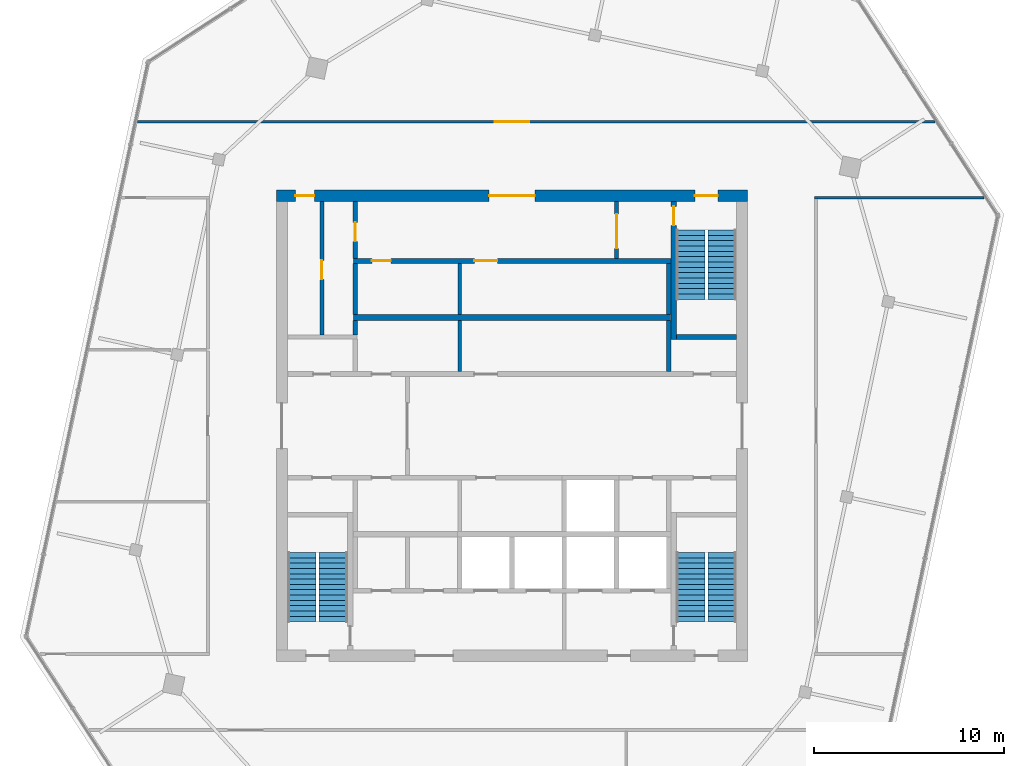
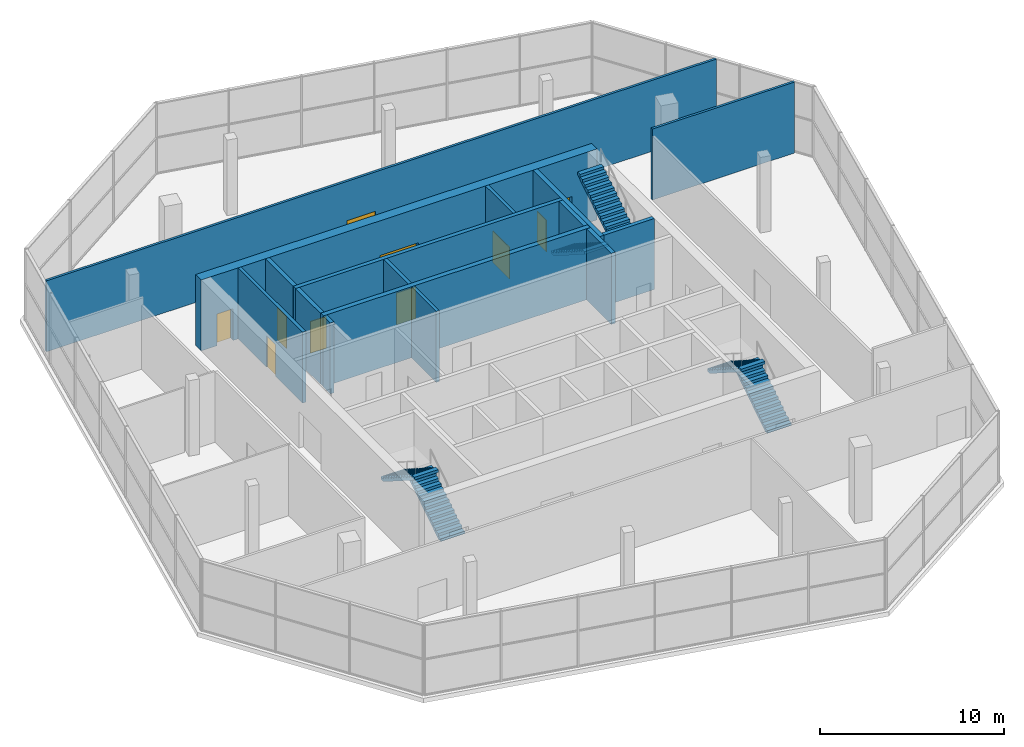
# One storey, part 10 of 11: 16 walls, 10 doors, 6 stair flights, 10 openings, 3 elements without a shape of their own.
"""IFC4 building model written with IfcOpenShell, lengths in metres."""

import ifcopenshell
import ifcopenshell.guid

model = None  # the IFC model being written
_history = None  # IfcOwnerHistory: only IFC2X3 demands one
_inside = {}  # id of a spatial element -> (the spatial element, [elements in it])
_under = {}  # id of a project, library or spatial element -> (it, [spatial elements below it])
_declared = {}  # id of a project -> (the project, [libraries it declares])
_typed = {}  # id of a type object -> (the type object, [elements of that type])
_made_of = {}  # id of a material, layer set ... -> (it, [elements and type objects made of it])


def new_model(schema):
    """Start an empty IFC model of exactly this schema.

    Asked for "IFC4X3", IfcOpenShell would pick the latest addendum, in which some entities
    have other attributes; the version numbers below select the first issue.
    IFC2X3 requires an IfcOwnerHistory on every rooted entity: one is made here for all.
    """
    global model, _history
    if schema == "IFC4X3":
        model = ifcopenshell.file(schema_version=(4, 3, 0, 0))
    else:
        model = ifcopenshell.file(schema=schema)
    _inside.clear()
    _under.clear()
    _declared.clear()
    _typed.clear()
    _made_of.clear()
    _history = None
    if model.schema == "IFC2X3":
        org = make("IfcOrganization", Name="unknown")
        user = make(
            "IfcPersonAndOrganization",
            ThePerson=make("IfcPerson", FamilyName="unknown"),
            TheOrganization=org,
        )
        app = make(
            "IfcApplication",
            ApplicationDeveloper=org,
            Version="unknown",
            ApplicationFullName="unknown",
            ApplicationIdentifier="unknown",
        )
        _history = make(
            "IfcOwnerHistory",
            OwningUser=user,
            OwningApplication=app,
            ChangeAction="ADDED",
            CreationDate=0,
        )
    return model


def make(cls, **values):
    """One entity of the class cls with the attributes given. An attribute that is None is left unset."""
    return model.create_entity(
        cls, **{name: value for name, value in values.items() if value is not None}
    )


def rooted(cls, **values):
    """An entity with a GlobalId (a new one), such as an element, a storey or a relation."""
    return make(cls, GlobalId=ifcopenshell.guid.new(), OwnerHistory=_history, **values)


def si_unit(unit_type, name, prefix=None):
    """IfcSIUnit, for example si_unit("LENGTHUNIT", "METRE", prefix="MILLI")."""
    return make("IfcSIUnit", UnitType=unit_type, Prefix=prefix, Name=name)


def assignment(units):
    """IfcUnitAssignment: the units of a project."""
    return None if units is None else make("IfcUnitAssignment", Units=units)


def point(xyz):
    """IfcCartesianPoint."""
    return None if xyz is None else make("IfcCartesianPoint", Coordinates=xyz)


def direction(xyz):
    """IfcDirection."""
    return None if xyz is None else make("IfcDirection", DirectionRatios=xyz)


def frame(location, z_axis=None, x_axis=None):
    """IfcAxis2Placement3D, a coordinate frame: its origin and axes. An axis left out is left unset."""
    return make(
        "IfcAxis2Placement3D",
        Location=point(location),
        Axis=direction(z_axis),
        RefDirection=direction(x_axis),
    )


def frame_2d(location, x_axis=None):
    """IfcAxis2Placement2D, a coordinate frame in the plane: its origin and x axis."""
    return make(
        "IfcAxis2Placement2D", Location=point(location), RefDirection=direction(x_axis)
    )


def origin():
    """The frame at (0, 0, 0) with its axes left unset."""
    return frame((0.0, 0.0, 0.0))


def place(relative_to, where):
    """IfcLocalPlacement: puts the frame where relative to a parent placement (None: the world)."""
    return make(
        "IfcLocalPlacement", PlacementRelTo=relative_to, RelativePlacement=where
    )


def context(
    kind, dimensions, precision=None, world=None, true_north=None, identifier=None
):
    """IfcGeometricRepresentationContext, for example the 3D "Model" context."""
    return make(
        "IfcGeometricRepresentationContext",
        ContextIdentifier=identifier,
        ContextType=kind,
        CoordinateSpaceDimension=dimensions,
        Precision=precision,
        WorldCoordinateSystem=world,
        TrueNorth=true_north,
    )


def subcontext(parent, identifier, kind, view, scale=None):
    """IfcGeometricRepresentationSubContext, for example "Body" below "Model"."""
    return make(
        "IfcGeometricRepresentationSubContext",
        ContextIdentifier=identifier,
        ContextType=kind,
        ParentContext=parent,
        TargetScale=scale,
        TargetView=view,
    )


def project(units=None, contexts=None):
    """IfcProject with its units and contexts."""
    return rooted(
        "IfcProject",
        Name="project",
        RepresentationContexts=contexts,
        UnitsInContext=assignment(units),
    )


def spatial(cls, under=None, at=None, **own):
    """A site, building, storey or space (cls), placed at a placement, below another one or the project."""
    s = rooted(cls, ObjectPlacement=at, **own)
    if under is not None:
        _under.setdefault(under.id(), (under, []))[1].append(s)
    return s


def polyline(points):
    """IfcPolyline through the points."""
    return make("IfcPolyline", Points=[point(p) for p in points])


def profile(cls, at=None, kind="AREA", **sizes):
    """A parametric profile (cls). Its sizes go by their IFC names, for example OverallWidth=200.0."""
    return make(cls, ProfileType=kind, Position=at, **sizes)


def rectangle(**sizes):
    """IfcRectangleProfileDef."""
    return profile("IfcRectangleProfileDef", **sizes)


def outline(outer, holes=None, kind="AREA"):
    """IfcArbitraryClosedProfileDef: a profile drawn as a closed curve; with holes, ...WithVoids."""
    if holes is None:
        return make("IfcArbitraryClosedProfileDef", ProfileType=kind, OuterCurve=outer)
    return make(
        "IfcArbitraryProfileDefWithVoids",
        ProfileType=kind,
        OuterCurve=outer,
        InnerCurves=holes,
    )


def extrude(swept, where, along, depth):
    """IfcExtrudedAreaSolid: the profile swept, set in the frame where, extruded along a direction by depth."""
    return make(
        "IfcExtrudedAreaSolid",
        SweptArea=swept,
        Position=where,
        ExtrudedDirection=direction(along),
        Depth=depth,
    )


def shape(context_of_items, identifier, shape_type, items):
    """IfcShapeRepresentation: the items that make up one representation, for example the "Body"."""
    return make(
        "IfcShapeRepresentation",
        ContextOfItems=context_of_items,
        RepresentationIdentifier=identifier,
        RepresentationType=shape_type,
        Items=items,
    )


def material(Name=None, Category=None):
    """IfcMaterial."""
    return make("IfcMaterial", Name=Name, Category=Category)


def layer(
    of_material, thickness, ventilated=None, Name=None, Category=None, Priority=None
):
    """IfcMaterialLayer: one layer of a wall or slab, of a material (None: an air gap)."""
    return make(
        "IfcMaterialLayer",
        Material=of_material,
        LayerThickness=thickness,
        IsVentilated=ventilated,
        Name=Name,
        Category=Category,
        Priority=Priority,
    )


def layer_set(layers, Name=None):
    """IfcMaterialLayerSet."""
    return make("IfcMaterialLayerSet", MaterialLayers=layers, LayerSetName=Name)


def made_of(thing, what):
    """Note that an element or type object is made of a material, layer set ...; save() writes the relation."""
    if what is not None:
        _made_of.setdefault(what.id(), (what, []))[1].append(thing)
    return thing


def type_object(cls, material=None, **own):
    """A type object (cls), such as IfcWallType, which elements share."""
    return made_of(rooted(cls, **own), material)


def element(
    cls,
    number,
    at=None,
    inside=None,
    cuts=None,
    type_object=None,
    material=None,
    context=None,
    identifier="Body",
    shape_type=None,
    held_by="IfcProductDefinitionShape",
    body=None,
    shapes=None,
    **own,
):
    """One element of the class cls, such as IfcWall. Its Tag is "e" and its number.

    at: its placement. inside: the storey or other place that contains it. cuts: it is an
    opening in that element (IfcRelVoidsElement). A single representation is given by context,
    identifier, shape_type and body (its items); several are given by shapes. held_by: the class
    of the entity that holds the representations. save() writes the other relations.
    """
    e = rooted(cls, Tag="e%d" % number, ObjectPlacement=at, **own)
    if body is not None:
        shapes = [shape(context, identifier, shape_type, body)]
    if shapes is not None:
        e.Representation = make(held_by, Representations=shapes)
    if inside is not None:
        _inside.setdefault(inside.id(), (inside, []))[1].append(e)
    if cuts is not None:
        rooted(
            "IfcRelVoidsElement", RelatingBuildingElement=cuts, RelatedOpeningElement=e
        )
    if type_object is not None:
        _typed.setdefault(type_object.id(), (type_object, []))[1].append(e)
    return made_of(e, material)


def fill(opening, filler):
    """IfcRelFillsElement: the door or window that sits in an opening."""
    return rooted(
        "IfcRelFillsElement",
        RelatingOpeningElement=opening,
        RelatedBuildingElement=filler,
    )


def aggregate(whole, parts):
    """IfcRelAggregates: a whole, such as a stair, and the parts it consists of."""
    return rooted("IfcRelAggregates", RelatingObject=whole, RelatedObjects=parts)


def save(model, path):
    """Write the relations noted so far, then the file.

    IfcRelAggregates (storeys below a building ...), IfcRelContainedInSpatialStructure (elements
    in a storey), IfcRelDefinesByType, IfcRelAssociatesMaterial and IfcRelDeclares: one each for
    every whole, place, type object, material and project.
    """
    for whole, parts in _under.values():
        aggregate(whole, parts)
    for where, things in _inside.values():
        rooted(
            "IfcRelContainedInSpatialStructure",
            RelatedElements=things,
            RelatingStructure=where,
        )
    for kind, things in _typed.values():
        rooted("IfcRelDefinesByType", RelatedObjects=things, RelatingType=kind)
    for what, things in _made_of.values():
        rooted("IfcRelAssociatesMaterial", RelatedObjects=things, RelatingMaterial=what)
    for by, libraries in _declared.values():
        rooted("IfcRelDeclares", RelatingContext=by, RelatedDefinitions=libraries)
    model.write(path)


model = new_model("IFC4")

# Units and contexts
model_context = context("Model", 3, precision=1e-05, world=origin(), true_north=direction((0.0, 1.0)))
body_context = subcontext(model_context, "Body", "Model", "MODEL_VIEW")
ifc_project = project(units=[si_unit("LENGTHUNIT", "METRE"), si_unit("AREAUNIT", "SQUARE_METRE"), si_unit("VOLUMEUNIT", "CUBIC_METRE"), si_unit("PLANEANGLEUNIT", "RADIAN"), si_unit("MASSUNIT", "GRAM", prefix="KILO")], contexts=[model_context])

# Site, building, storey
site_placement = place(None, origin())
site = spatial("IfcSite", under=ifc_project, at=site_placement, CompositionType="ELEMENT")
building_placement = place(site_placement, origin())
building = spatial("IfcBuilding", under=site, at=building_placement, Name="Dilmun Exchange Tower", CompositionType="ELEMENT")
storey_placement = place(building_placement, frame((0.0, 0.0, 363.10009765625)))
storey = spatial("IfcBuildingStorey", under=building, at=storey_placement, Name="Crown L85", CompositionType="ELEMENT", Elevation=363.10009765625)

# Wall
ifc_material_1 = material(Name="Concrete C40/50", Category="concrete")
ifc_layer_1 = layer(ifc_material_1, 0.199951171875)
ifc_layer_set_1 = layer_set([ifc_layer_1], Name="Concrete C40/50")
wall_type_1 = type_object("IfcWallType", Name="Core partition wall 200", PredefinedType="PARTITIONING", material=ifc_layer_set_1)
wall_1_placement = place(storey_placement, frame((-2.75, 2.85498046875, 0.0), z_axis=(0.0, 0.0, 1.0), x_axis=(0.0, 1.0, 0.0)))
element("IfcWall", 1, at=wall_1_placement, inside=storey, type_object=wall_type_1, Name="Crown L85 core partition wall 14", PredefinedType="PARTITIONING", context=body_context, shape_type="SweptSolid", body=[
    extrude(rectangle(XDim=2.68994140625, YDim=0.199951171875, at=frame_2d((1.344970703125, 0.0))), origin(), (0.0, 0.0, 1.0), 4.699951171875),
])

# Wall, opening, door
wall_2_placement = place(storey_placement, frame((-10.0, 4.780029296875, 0.0), z_axis=(0.0, 0.0, 1.0), x_axis=(0.0, 1.0, 0.0)))
wall_2 = element("IfcWall", 2, at=wall_2_placement, inside=storey, type_object=wall_type_1, Name="Crown L85 core partition wall 17", PredefinedType="PARTITIONING", context=body_context, shape_type="SweptSolid", body=[
    extrude(rectangle(XDim=7.014892578125, YDim=0.199951171875, at=frame_2d((3.50732421875, 0.0))), origin(), (0.0, 0.0, 1.0), 4.699951171875),
])
opening_1_placement = place(wall_2_placement, frame((2.919921875, 0.0, 0.0)))
opening_1 = element("IfcOpeningElement", 3, at=opening_1_placement, cuts=wall_2, Name="Opening CD4", PredefinedType="OPENING", context=body_context, shape_type="SweptSolid", body=[
    extrude(rectangle(XDim=1.0, YDim=2.10009765625, at=frame_2d((0.5, 1.050048828125))), frame((0.0, 0.10986328125, 0.0), z_axis=(0.0, -1.0, 0.0), x_axis=(1.0, 0.0, 0.0)), (0.0, 0.0, 1.0), 0.219970703125),
])
ifc_material_2 = material(Name="Fire-rated steel door set", Category="steel")
door_type_1 = type_object("IfcDoorType", Name="Core room door 1000x2100", OperationType="SINGLE_SWING_LEFT", PredefinedType="DOOR", material=ifc_material_2)
door_1_placement = place(opening_1_placement, origin())
door_1 = element("IfcDoor", 4, at=door_1_placement, inside=storey, type_object=door_type_1, Name="Crown L85 door Comms room", OperationType="SINGLE_SWING_RIGHT", OverallHeight=2.10009765625, OverallWidth=1.0, PredefinedType="DOOR", context=body_context, shape_type="SweptSolid", body=[
    extrude(rectangle(XDim=1.0, YDim=2.10009765625, at=frame_2d((0.5, 1.050048828125))), frame((0.0, 0.02490234375, 0.0), z_axis=(0.0, -1.0, 0.0), x_axis=(1.0, 0.0, 0.0)), (0.0, 0.0, 1.0), 0.050048828125),
])
fill(opening_1, door_1)

# Wall
wall_3_placement = place(storey_placement, frame((-2.75, 5.85498046875, 0.0), z_axis=(0.0, 0.0, 1.0), x_axis=(0.0, 1.0, 0.0)))
element("IfcWall", 5, at=wall_3_placement, inside=storey, type_object=wall_type_1, Name="Crown L85 core partition wall 21", PredefinedType="PARTITIONING", context=body_context, shape_type="SweptSolid", body=[
    extrude(rectangle(XDim=2.68994140625, YDim=0.199951171875, at=frame_2d((1.344970703125, 0.0))), origin(), (0.0, 0.0, 1.0), 4.699951171875),
])

# Wall, opening, door
wall_4_placement = place(storey_placement, frame((5.5, 8.804931640625, 0.0), z_axis=(0.0, 0.0, 1.0), x_axis=(0.0, 1.0, 0.0)))
wall_4 = element("IfcWall", 6, at=wall_4_placement, inside=storey, type_object=wall_type_1, Name="Crown L85 core partition wall 25", PredefinedType="PARTITIONING", context=body_context, shape_type="SweptSolid", body=[
    extrude(rectangle(XDim=2.989990234375, YDim=0.199951171875, at=frame_2d((1.4951171875, 0.0))), origin(), (0.0, 0.0, 1.0), 4.699951171875),
])
opening_2_placement = place(wall_4_placement, frame((0.532470703125, 0.0, 0.0)))
opening_2 = element("IfcOpeningElement", 7, at=opening_2_placement, cuts=wall_4, Name="Opening CD5", PredefinedType="OPENING", context=body_context, shape_type="SweptSolid", body=[
    extrude(rectangle(XDim=1.800048828125, YDim=2.10009765625, at=frame_2d((0.89990234375, 1.050048828125))), frame((0.0, 0.10986328125, 0.0), z_axis=(0.0, -1.0, 0.0), x_axis=(1.0, 0.0, 0.0)), (0.0, 0.0, 1.0), 0.219970703125),
])
door_type_2 = type_object("IfcDoorType", Name="Stair exit door 1800x2100", OperationType="SINGLE_SWING_LEFT", PredefinedType="DOOR", material=ifc_material_2)
door_2_placement = place(opening_2_placement, origin())
door_2 = element("IfcDoor", 8, at=door_2_placement, inside=storey, type_object=door_type_2, Name="Crown L85 door Core corridor east", OperationType="SINGLE_SWING_LEFT", OverallHeight=2.10009765625, OverallWidth=1.800048828125, PredefinedType="DOOR", context=body_context, shape_type="SweptSolid", body=[
    extrude(rectangle(XDim=1.800048828125, YDim=2.10009765625, at=frame_2d((0.89990234375, 1.050048828125))), frame((0.0, 0.02490234375, 0.0), z_axis=(0.0, -1.0, 0.0), x_axis=(1.0, 0.0, 0.0)), (0.0, 0.0, 1.0), 0.050048828125),
])
fill(opening_2, door_2)

# Walls
ifc_layer_2 = layer(ifc_material_1, 0.25)
ifc_layer_set_2 = layer_set([ifc_layer_2], Name="Concrete C40/50")
wall_type_2 = type_object("IfcWallType", Name="Core partition wall 250", PredefinedType="PARTITIONING", material=ifc_layer_set_2)
wall_5_placement = place(storey_placement, frame((8.25, 2.85498046875, 0.0), z_axis=(0.0, 0.0, 1.0), x_axis=(0.0, 1.0, 0.0)))
element("IfcWall", 9, at=wall_5_placement, inside=storey, type_object=wall_type_2, Name="Crown L85 core partition wall 15", PredefinedType="PARTITIONING", context=body_context, shape_type="SweptSolid", body=[
    extrude(rectangle(XDim=2.68994140625, YDim=0.25, at=frame_2d((1.344970703125, 0.0))), origin(), (0.0, 0.0, 1.0), 4.699951171875),
])
wall_6_placement = place(storey_placement, frame((-8.25, 4.780029296875, 0.0), z_axis=(0.0, 0.0, 1.0), x_axis=(0.0, 1.0, 0.0)))
element("IfcWall", 10, at=wall_6_placement, inside=storey, type_object=wall_type_2, Name="Crown L85 core partition wall 18", PredefinedType="PARTITIONING", context=body_context, shape_type="SweptSolid", body=[
    extrude(rectangle(XDim=0.764892578125, YDim=0.25, at=frame_2d((0.38232421875, 0.0))), origin(), (0.0, 0.0, 1.0), 4.699951171875),
])
for number, where, z_axis, x_axis, name in (
    (11, (-8.25, 5.85498046875, 0.0), (0.0, 0.0, 1.0), (0.0, 1.0, 0.0), "Crown L85 core partition wall 20"),
    (12, (8.25, 5.85498046875, 0.0), (0.0, 0.0, 1.0), (0.0, 1.0, 0.0), "Crown L85 core partition wall 22"),
):
    element("IfcWall", number, at=place(storey_placement, frame(where, z_axis=z_axis, x_axis=x_axis)), inside=storey, type_object=wall_type_2, Name=name, PredefinedType="PARTITIONING", context=body_context, shape_type="SweptSolid", body=[
        extrude(rectangle(XDim=2.68994140625, YDim=0.25, at=frame_2d((1.344970703125, 0.0))), origin(), (0.0, 0.0, 1.0), 4.699951171875),
    ])

# Wall, openings, doors
wall_7_placement = place(storey_placement, frame((-8.35009765625, 8.675048828125, 0.0), z_axis=(0.0, 0.0, 1.0), x_axis=(1.0, 0.0, 0.0)))
wall_7 = element("IfcWall", 13, at=wall_7_placement, inside=storey, type_object=wall_type_2, Name="Crown L85 core partition wall 23", PredefinedType="PARTITIONING", context=body_context, shape_type="SweptSolid", body=[
    extrude(rectangle(XDim=16.72021484375, YDim=0.25, at=frame_2d((8.360107421875, 0.0))), origin(), (0.0, 0.0, 1.0), 4.699951171875),
])
opening_3_placement = place(wall_7_placement, frame((0.97509765625, 0.0, 0.0)))
opening_3 = element("IfcOpeningElement", 14, at=opening_3_placement, cuts=wall_7, Name="Opening CD4", PredefinedType="OPENING", context=body_context, shape_type="SweptSolid", body=[
    extrude(rectangle(XDim=1.0, YDim=2.10009765625, at=frame_2d((0.5, 1.050048828125))), frame((0.0, 0.135009765625, 0.0), z_axis=(0.0, -1.0, 0.0), x_axis=(1.0, 0.0, 0.0)), (0.0, 0.0, 1.0), 0.27001953125),
])
opening_4_placement = place(wall_7_placement, frame((6.375, 0.0, 0.0)))
opening_4 = element("IfcOpeningElement", 15, at=opening_4_placement, cuts=wall_7, Name="Opening CD3", PredefinedType="OPENING", context=body_context, shape_type="SweptSolid", body=[
    extrude(rectangle(XDim=1.199951171875, YDim=2.10009765625, at=frame_2d((0.60009765625, 1.050048828125))), frame((0.0, 0.135009765625, 0.0), z_axis=(0.0, -1.0, 0.0), x_axis=(1.0, 0.0, 0.0)), (0.0, 0.0, 1.0), 0.27001953125),
])
door_3_placement = place(opening_3_placement, origin())
door_3 = element("IfcDoor", 16, at=door_3_placement, inside=storey, type_object=door_type_1, Name="Crown L85 door Switch room", OperationType="SINGLE_SWING_RIGHT", OverallHeight=2.10009765625, OverallWidth=1.0, PredefinedType="DOOR", context=body_context, shape_type="SweptSolid", body=[
    extrude(rectangle(XDim=1.0, YDim=2.10009765625, at=frame_2d((0.5, 1.050048828125))), frame((0.0, 0.02490234375, 0.0), z_axis=(0.0, -1.0, 0.0), x_axis=(1.0, 0.0, 0.0)), (0.0, 0.0, 1.0), 0.050048828125),
])
fill(opening_3, door_3)
door_type_3 = type_object("IfcDoorType", Name="Stair exit door 1200x2100", OperationType="SINGLE_SWING_LEFT", PredefinedType="DOOR", material=ifc_material_2)
door_4_placement = place(opening_4_placement, origin())
door_4 = element("IfcDoor", 17, at=door_4_placement, inside=storey, type_object=door_type_3, Name="Crown L85 door Quiet working room", OperationType="SINGLE_SWING_LEFT", OverallHeight=2.10009765625, OverallWidth=1.199951171875, PredefinedType="DOOR", context=body_context, shape_type="SweptSolid", body=[
    extrude(rectangle(XDim=1.199951171875, YDim=2.10009765625, at=frame_2d((0.60009765625, 1.050048828125))), frame((0.0, 0.02490234375, 0.0), z_axis=(0.0, -1.0, 0.0), x_axis=(1.0, 0.0, 0.0)), (0.0, 0.0, 1.0), 0.050048828125),
])
fill(opening_4, door_4)

# Wall, opening, door
wall_8_placement = place(storey_placement, frame((-8.25, 8.804931640625, 0.0), z_axis=(0.0, 0.0, 1.0), x_axis=(0.0, 1.0, 0.0)))
wall_8 = element("IfcWall", 18, at=wall_8_placement, inside=storey, type_object=wall_type_2, Name="Crown L85 core partition wall 24", PredefinedType="PARTITIONING", context=body_context, shape_type="SweptSolid", body=[
    extrude(rectangle(XDim=2.989990234375, YDim=0.25, at=frame_2d((1.4951171875, 0.0))), origin(), (0.0, 0.0, 1.0), 4.699951171875),
])
opening_5_placement = place(wall_8_placement, frame((0.89501953125, 0.0, 0.0)))
opening_5 = element("IfcOpeningElement", 19, at=opening_5_placement, cuts=wall_8, Name="Opening CD4", PredefinedType="OPENING", context=body_context, shape_type="SweptSolid", body=[
    extrude(rectangle(XDim=1.0, YDim=2.10009765625, at=frame_2d((0.5, 1.050048828125))), frame((0.0, 0.135009765625, 0.0), z_axis=(0.0, -1.0, 0.0), x_axis=(1.0, 0.0, 0.0)), (0.0, 0.0, 1.0), 0.27001953125),
])
door_5_placement = place(opening_5_placement, origin())
door_5 = element("IfcDoor", 20, at=door_5_placement, inside=storey, type_object=door_type_1, Name="Crown L85 door Security room", OperationType="SINGLE_SWING_RIGHT", OverallHeight=2.10009765625, OverallWidth=1.0, PredefinedType="DOOR", context=body_context, shape_type="SweptSolid", body=[
    extrude(rectangle(XDim=1.0, YDim=2.10009765625, at=frame_2d((0.5, 1.050048828125))), frame((0.0, 0.02490234375, 0.0), z_axis=(0.0, -1.0, 0.0), x_axis=(1.0, 0.0, 0.0)), (0.0, 0.0, 1.0), 0.050048828125),
])
fill(opening_5, door_5)

# Wall
ifc_layer_3 = layer(ifc_material_1, 0.300048828125)
ifc_layer_set_3 = layer_set([ifc_layer_3], Name="Concrete C40/50")
wall_type_3 = type_object("IfcWallType", Name="Core partition wall 300", PredefinedType="PARTITIONING", material=ifc_layer_set_3)
wall_9_placement = place(storey_placement, frame((-8.35009765625, 5.699951171875, 0.0), z_axis=(0.0, 0.0, 1.0), x_axis=(1.0, 0.0, 0.0)))
element("IfcWall", 21, at=wall_9_placement, inside=storey, type_object=wall_type_3, Name="Crown L85 core partition wall 19", PredefinedType="PARTITIONING", context=body_context, shape_type="SweptSolid", body=[
    extrude(rectangle(XDim=16.7001953125, YDim=0.300048828125, at=frame_2d((8.35009765625, 0.0))), origin(), (0.0, 0.0, 1.0), 4.699951171875),
])

# Wall, openings, doors
ifc_material_3 = material(Name="Concrete C50/60", Category="concrete")
ifc_layer_4 = layer(ifc_material_3, 0.60009765625)
ifc_layer_set_4 = layer_set([ifc_layer_4], Name="Concrete C50/60")
wall_type_4 = type_object("IfcWallType", Name="Core shear wall 600 Concrete C50/60", PredefinedType="SHEAR", material=ifc_layer_set_4)
wall_10_placement = place(storey_placement, frame((-12.39990234375, 12.10009765625, 0.0), z_axis=(0.0, 0.0, 1.0), x_axis=(1.0, 0.0, 0.0)))
wall_10 = element("IfcWall", 22, at=wall_10_placement, inside=storey, type_object=wall_type_4, Name="Crown L85 core shear wall N", PredefinedType="SHEAR", context=body_context, shape_type="SweptSolid", body=[
    extrude(rectangle(XDim=24.7998046875, YDim=0.60009765625, at=frame_2d((12.39990234375, 0.0))), origin(), (0.0, 0.0, 1.0), 4.699951171875),
])
opening_6_placement = place(wall_10_placement, frame((11.199951171875, 0.0, 0.0)))
opening_6 = element("IfcOpeningElement", 23, at=opening_6_placement, cuts=wall_10, Name="Opening CD1", PredefinedType="OPENING", context=body_context, shape_type="SweptSolid", body=[
    extrude(rectangle(XDim=2.39990234375, YDim=2.39990234375, at=frame_2d((1.199951171875, 1.199951171875))), frame((0.0, 0.31005859375, 0.0), z_axis=(0.0, -1.0, 0.0), x_axis=(1.0, 0.0, 0.0)), (0.0, 0.0, 1.0), 0.6201171875),
])
opening_7_placement = place(wall_10_placement, frame((22.02490234375, 0.0, 0.0)))
opening_7 = element("IfcOpeningElement", 24, at=opening_7_placement, cuts=wall_10, Name="Opening CD3", PredefinedType="OPENING", context=body_context, shape_type="SweptSolid", body=[
    extrude(rectangle(XDim=1.199951171875, YDim=2.10009765625, at=frame_2d((0.60009765625, 1.050048828125))), frame((0.0, 0.31005859375, 0.0), z_axis=(0.0, -1.0, 0.0), x_axis=(1.0, 0.0, 0.0)), (0.0, 0.0, 1.0), 0.6201171875),
])
opening_8_placement = place(wall_10_placement, frame((1.0, 0.0, 0.0)))
opening_8 = element("IfcOpeningElement", 25, at=opening_8_placement, cuts=wall_10, Name="Opening CD4", PredefinedType="OPENING", context=body_context, shape_type="SweptSolid", body=[
    extrude(rectangle(XDim=1.0, YDim=2.10009765625, at=frame_2d((0.5, 1.050048828125))), frame((0.0, 0.31005859375, 0.0), z_axis=(0.0, -1.0, 0.0), x_axis=(1.0, 0.0, 0.0)), (0.0, 0.0, 1.0), 0.6201171875),
])
door_type_4 = type_object("IfcDoorType", Name="Core lobby door 2400x2400", OperationType="DOUBLE_DOOR_DOUBLE_SWING", PredefinedType="DOOR", material=ifc_material_2)
door_6_placement = place(opening_6_placement, origin())
door_6 = element("IfcDoor", 26, at=door_6_placement, inside=storey, type_object=door_type_4, Name="Crown L85 door North lift lobby", OperationType="SINGLE_SWING_LEFT", OverallHeight=2.39990234375, OverallWidth=2.39990234375, PredefinedType="DOOR", context=body_context, shape_type="SweptSolid", body=[
    extrude(rectangle(XDim=2.39990234375, YDim=2.39990234375, at=frame_2d((1.199951171875, 1.199951171875))), frame((0.0, 0.02490234375, 0.0), z_axis=(0.0, -1.0, 0.0), x_axis=(1.0, 0.0, 0.0)), (0.0, 0.0, 1.0), 0.050048828125),
])
fill(opening_6, door_6)
door_7_placement = place(opening_8_placement, origin())
door_7 = element("IfcDoor", 27, at=door_7_placement, inside=storey, type_object=door_type_1, Name="Crown L85 door North-west core rooms", OperationType="SINGLE_SWING_LEFT", OverallHeight=2.10009765625, OverallWidth=1.0, PredefinedType="DOOR", context=body_context, shape_type="SweptSolid", body=[
    extrude(rectangle(XDim=1.0, YDim=2.10009765625, at=frame_2d((0.5, 1.050048828125))), frame((0.0, 0.02490234375, 0.0), z_axis=(0.0, -1.0, 0.0), x_axis=(1.0, 0.0, 0.0)), (0.0, 0.0, 1.0), 0.050048828125),
])
fill(opening_8, door_7)
door_8_placement = place(opening_7_placement, origin())
door_8 = element("IfcDoor", 28, at=door_8_placement, inside=storey, type_object=door_type_3, Name="Crown L85 door Stair ST1", OperationType="SINGLE_SWING_LEFT", OverallHeight=2.10009765625, OverallWidth=1.199951171875, PredefinedType="DOOR", context=body_context, shape_type="SweptSolid", body=[
    extrude(rectangle(XDim=1.199951171875, YDim=2.10009765625, at=frame_2d((0.60009765625, 1.050048828125))), frame((0.0, 0.02490234375, 0.0), z_axis=(0.0, -1.0, 0.0), x_axis=(1.0, 0.0, 0.0)), (0.0, 0.0, 1.0), 0.050048828125),
])
fill(opening_7, door_8)

# Wall
ifc_material_4 = material(Name="Fire partition EI 60 150 gypsum")
ifc_layer_5 = layer(ifc_material_4, 0.14990234375)
ifc_layer_set_5 = layer_set([ifc_layer_5], Name="Fire partition EI 60 150 gypsum")
wall_type_5 = type_object("IfcWallType", Name="Fire partition EI 60 150 gypsum", PredefinedType="PARTITIONING", material=ifc_layer_set_5)
wall_11_placement = place(storey_placement, frame((15.925048828125, 12.0, 0.0), z_axis=(0.0, 0.0, 1.0), x_axis=(1.0, 0.0, 0.0)))
element("IfcWall", 29, at=wall_11_placement, inside=storey, type_object=wall_type_5, Name="Crown L85 partition", PredefinedType="PARTITIONING", context=body_context, shape_type="SweptSolid", body=[
    extrude(rectangle(XDim=8.91650390625, YDim=0.14990234375, at=frame_2d((4.458251953125, 0.0))), origin(), (0.0, 0.0, 1.0), 4.699951171875),
])

# Wall, opening, door
wall_12_placement = place(storey_placement, frame((-19.7041015625, 16.0, 0.0), z_axis=(0.0, 0.0, 1.0), x_axis=(1.0, 0.0, 0.0)))
wall_12 = element("IfcWall", 30, at=wall_12_placement, inside=storey, type_object=wall_type_5, Name="Crown L85 partition", PredefinedType="PARTITIONING", context=body_context, shape_type="SweptSolid", body=[
    extrude(rectangle(XDim=41.947998046875, YDim=0.14990234375, at=frame_2d((20.97412109375, 0.0))), origin(), (0.0, 0.0, 1.0), 4.699951171875),
])
opening_9_placement = place(wall_12_placement, frame((18.803955078125, 0.0, 0.0)))
opening_9 = element("IfcOpeningElement", 31, at=opening_9_placement, cuts=wall_12, Name="Opening CrownL85-D001", PredefinedType="OPENING", context=body_context, shape_type="SweptSolid", body=[
    extrude(rectangle(XDim=1.800048828125, YDim=2.10009765625, at=frame_2d((0.89990234375, 1.050048828125))), frame((0.0, 0.0849609375, 0.0), z_axis=(0.0, -1.0, 0.0), x_axis=(1.0, 0.0, 0.0)), (0.0, 0.0, 1.0), 0.169921875),
])
ifc_material_5 = material(Name="Fire door FD60 double 1800 x 2100")
door_type_5 = type_object("IfcDoorType", Name="Fire door FD60 double 1800 x 2100", OperationType="DOUBLE_DOOR_SINGLE_SWING", PredefinedType="DOOR", material=ifc_material_5)
door_9_placement = place(opening_9_placement, origin())
door_9 = element("IfcDoor", 32, at=door_9_placement, inside=storey, type_object=door_type_5, Name="Crown L85 door CrownL85-D001", OperationType="DOUBLE_DOOR_SINGLE_SWING", OverallHeight=2.10009765625, OverallWidth=1.800048828125, PredefinedType="DOOR", context=body_context, shape_type="SweptSolid", body=[
    extrude(rectangle(XDim=1.800048828125, YDim=2.10009765625, at=frame_2d((0.89990234375, 1.050048828125))), frame((0.0, 0.02490234375, 0.0), z_axis=(0.0, -1.0, 0.0), x_axis=(1.0, 0.0, 0.0)), (0.0, 0.0, 1.0), 0.050048828125),
])
fill(opening_9, door_9)

# Wall
ifc_layer_6 = layer(ifc_material_1, 0.25)
ifc_layer_set_6 = layer_set([ifc_layer_6], Name="Concrete C40/50")
wall_type_6 = type_object("IfcWallType", Name="Stair end wall 250", PredefinedType="SOLIDWALL", material=ifc_layer_set_6)
wall_13_placement = place(storey_placement, frame((8.64990234375, 4.675048828125, 0.0), z_axis=(0.0, 0.0, 1.0), x_axis=(1.0, 0.0, 0.0)))
element("IfcWall", 33, at=wall_13_placement, inside=storey, type_object=wall_type_6, Name="Crown L85 ST1 far wall", PredefinedType="SOLIDWALL", context=body_context, shape_type="SweptSolid", body=[
    extrude(rectangle(XDim=3.150146484375, YDim=0.25, at=frame_2d((1.5751953125, 0.0))), origin(), (0.0, 0.0, 1.0), 4.699951171875),
])

# Wall, opening, door
ifc_layer_7 = layer(ifc_material_1, 0.27490234375)
ifc_layer_set_7 = layer_set([ifc_layer_7], Name="Concrete C40/50")
wall_type_7 = type_object("IfcWallType", Name="Stair wall 275", PredefinedType="SOLIDWALL", material=ifc_layer_set_7)
wall_14_placement = place(storey_placement, frame((8.512451171875, 4.550048828125, 0.0), z_axis=(0.0, 0.0, 1.0), x_axis=(0.0, 1.0, 0.0)))
wall_14 = element("IfcWall", 34, at=wall_14_placement, inside=storey, type_object=wall_type_7, Name="Crown L85 ST1 wall to lift block", PredefinedType="SOLIDWALL", context=body_context, shape_type="SweptSolid", body=[
    extrude(rectangle(XDim=7.25, YDim=0.27490234375, at=frame_2d((3.625, 0.0))), origin(), (0.0, 0.0, 1.0), 4.699951171875),
])
opening_10_placement = place(wall_14_placement, frame((6.0, 0.0, 0.0)))
opening_10 = element("IfcOpeningElement", 35, at=opening_10_placement, cuts=wall_14, Name="Opening CD4", PredefinedType="OPENING", context=body_context, shape_type="SweptSolid", body=[
    extrude(rectangle(XDim=1.0, YDim=2.10009765625, at=frame_2d((0.5, 1.050048828125))), frame((0.0, 0.1474609375, 0.0), z_axis=(0.0, -1.0, 0.0), x_axis=(1.0, 0.0, 0.0)), (0.0, 0.0, 1.0), 0.294921875),
])
door_10_placement = place(opening_10_placement, origin())
door_10 = element("IfcDoor", 36, at=door_10_placement, inside=storey, type_object=door_type_1, Name="Crown L85 door ST1 from lobby", OperationType="SINGLE_SWING_LEFT", OverallHeight=2.10009765625, OverallWidth=1.0, PredefinedType="DOOR", context=body_context, shape_type="SweptSolid", body=[
    extrude(rectangle(XDim=1.0, YDim=2.10009765625, at=frame_2d((0.5, 1.050048828125))), frame((0.0, 0.02490234375, 0.0), z_axis=(0.0, -1.0, 0.0), x_axis=(1.0, 0.0, 0.0)), (0.0, 0.0, 1.0), 0.050048828125),
])
fill(opening_10, door_10)

# Stair, stair flights
stair_type = type_object("IfcStairType", Name="Exit stair 1500 half-turn", PredefinedType="HALF_TURN_STAIR", material=ifc_material_1)
stair_1_placement = place(storey_placement, origin())
stair_1 = element("IfcStair", 37, at=stair_1_placement, inside=storey, type_object=stair_type, Name="Crown L85 Protected exit stair ST1", PredefinedType="HALF_TURN_STAIR")
stair_flight_type = type_object("IfcStairFlightType", Name="Exit stair flight 1500", PredefinedType="STRAIGHT", material=ifc_material_1)
stair_flight_1_placement = place(storey_placement, frame((9.39990234375, 10.300048828125, 0.0), z_axis=(0.0, 0.0, 1.0), x_axis=(0.0, -1.0, 0.0)))
stair_flight_1 = element("IfcStairFlight", 38, at=stair_flight_1_placement, type_object=stair_flight_type, Name="ST1 flight 1", NumberOfRisers=14, NumberOfTreads=13, PredefinedType="STRAIGHT", RiserHeight=0.178571429, TreadLength=0.28, context=body_context, shape_type="SweptSolid", body=[
    extrude(outline(polyline([(0.0, 0.0), (0.0, 0.178466796875), (0.280029296875, 0.178466796875), (0.280029296875, 0.357177734375), (0.56005859375, 0.357177734375), (0.56005859375, 0.53564453125), (0.840087890625, 0.53564453125), (0.840087890625, 0.71435546875), (1.1201171875, 0.71435546875), (1.1201171875, 0.892822265625), (1.39990234375, 0.892822265625), (1.39990234375, 1.071533203125), (1.679931640625, 1.071533203125), (1.679931640625, 1.25), (1.9599609375, 1.25), (1.9599609375, 1.428466796875), (2.239990234375, 1.428466796875), (2.239990234375, 1.607177734375), (2.52001953125, 1.607177734375), (2.52001953125, 1.78564453125), (2.800048828125, 1.78564453125), (2.800048828125, 1.96435546875), (3.080078125, 1.96435546875), (3.080078125, 2.142822265625), (3.360107421875, 2.142822265625), (3.360107421875, 2.321533203125), (3.639892578125, 2.321533203125), (3.639892578125, 2.5), (3.639892578125, 2.1435546875), (0.27880859375, 0.0), (0.0, 0.0)])), frame((0.0, 0.75, 0.0), z_axis=(0.0, -1.0, 0.0), x_axis=(1.0, 0.0, 0.0)), (0.0, 0.0, 1.0), 1.5),
])
stair_flight_2_placement = place(storey_placement, frame((11.050048828125, 6.659912109375, 2.5), z_axis=(0.0, 0.0, 1.0), x_axis=(0.0, 1.0, 0.0)))
stair_flight_2 = element("IfcStairFlight", 39, at=stair_flight_2_placement, type_object=stair_flight_type, Name="ST1 flight 2", NumberOfRisers=14, NumberOfTreads=13, PredefinedType="STRAIGHT", RiserHeight=0.178571429, TreadLength=0.28, context=body_context, shape_type="SweptSolid", body=[
    extrude(outline(polyline([(0.0, 0.0), (0.0, 0.178466796875), (0.280029296875, 0.178466796875), (0.280029296875, 0.357177734375), (0.56005859375, 0.357177734375), (0.56005859375, 0.53564453125), (0.840087890625, 0.53564453125), (0.840087890625, 0.71435546875), (1.1201171875, 0.71435546875), (1.1201171875, 0.892822265625), (1.39990234375, 0.892822265625), (1.39990234375, 1.071533203125), (1.679931640625, 1.071533203125), (1.679931640625, 1.25), (1.9599609375, 1.25), (1.9599609375, 1.428466796875), (2.239990234375, 1.428466796875), (2.239990234375, 1.607177734375), (2.52001953125, 1.607177734375), (2.52001953125, 1.78564453125), (2.800048828125, 1.78564453125), (2.800048828125, 1.96435546875), (3.080078125, 1.96435546875), (3.080078125, 2.142822265625), (3.360107421875, 2.142822265625), (3.360107421875, 2.321533203125), (3.639892578125, 2.321533203125), (3.639892578125, 2.5), (3.639892578125, 2.1435546875), (0.27880859375, 0.0), (0.0, 0.0)])), frame((0.0, 0.75, 0.0), z_axis=(0.0, -1.0, 0.0), x_axis=(1.0, 0.0, 0.0)), (0.0, 0.0, 1.0), 1.5),
])
aggregate(stair_1, [stair_flight_1, stair_flight_2])

stair_2_placement = place(storey_placement, origin())
stair_2 = element("IfcStair", 40, at=stair_2_placement, inside=storey, type_object=stair_type, Name="Crown L85 Protected exit stair ST2", PredefinedType="HALF_TURN_STAIR")
stair_flight_3_placement = place(storey_placement, frame((-9.39990234375, -10.300048828125, 0.0), z_axis=(0.0, 0.0, 1.0), x_axis=(0.0, 1.0, 0.0)))
stair_flight_3 = element("IfcStairFlight", 41, at=stair_flight_3_placement, type_object=stair_flight_type, Name="ST2 flight 1", NumberOfRisers=14, NumberOfTreads=13, PredefinedType="STRAIGHT", RiserHeight=0.178571429, TreadLength=0.28, context=body_context, shape_type="SweptSolid", body=[
    extrude(outline(polyline([(0.0, 0.0), (0.0, 0.178466796875), (0.280029296875, 0.178466796875), (0.280029296875, 0.357177734375), (0.56005859375, 0.357177734375), (0.56005859375, 0.53564453125), (0.840087890625, 0.53564453125), (0.840087890625, 0.71435546875), (1.1201171875, 0.71435546875), (1.1201171875, 0.892822265625), (1.39990234375, 0.892822265625), (1.39990234375, 1.071533203125), (1.679931640625, 1.071533203125), (1.679931640625, 1.25), (1.9599609375, 1.25), (1.9599609375, 1.428466796875), (2.239990234375, 1.428466796875), (2.239990234375, 1.607177734375), (2.52001953125, 1.607177734375), (2.52001953125, 1.78564453125), (2.800048828125, 1.78564453125), (2.800048828125, 1.96435546875), (3.080078125, 1.96435546875), (3.080078125, 2.142822265625), (3.360107421875, 2.142822265625), (3.360107421875, 2.321533203125), (3.639892578125, 2.321533203125), (3.639892578125, 2.5), (3.639892578125, 2.1435546875), (0.27880859375, 0.0), (0.0, 0.0)])), frame((0.0, 0.75, 0.0), z_axis=(0.0, -1.0, 0.0), x_axis=(1.0, 0.0, 0.0)), (0.0, 0.0, 1.0), 1.5),
])
stair_flight_4_placement = place(storey_placement, frame((-11.050048828125, -6.659912109375, 2.5), z_axis=(0.0, 0.0, 1.0), x_axis=(0.0, -1.0, 0.0)))
stair_flight_4 = element("IfcStairFlight", 42, at=stair_flight_4_placement, type_object=stair_flight_type, Name="ST2 flight 2", NumberOfRisers=14, NumberOfTreads=13, PredefinedType="STRAIGHT", RiserHeight=0.178571429, TreadLength=0.28, context=body_context, shape_type="SweptSolid", body=[
    extrude(outline(polyline([(0.0, 0.0), (0.0, 0.178466796875), (0.280029296875, 0.178466796875), (0.280029296875, 0.357177734375), (0.56005859375, 0.357177734375), (0.56005859375, 0.53564453125), (0.840087890625, 0.53564453125), (0.840087890625, 0.71435546875), (1.1201171875, 0.71435546875), (1.1201171875, 0.892822265625), (1.39990234375, 0.892822265625), (1.39990234375, 1.071533203125), (1.679931640625, 1.071533203125), (1.679931640625, 1.25), (1.9599609375, 1.25), (1.9599609375, 1.428466796875), (2.239990234375, 1.428466796875), (2.239990234375, 1.607177734375), (2.52001953125, 1.607177734375), (2.52001953125, 1.78564453125), (2.800048828125, 1.78564453125), (2.800048828125, 1.96435546875), (3.080078125, 1.96435546875), (3.080078125, 2.142822265625), (3.360107421875, 2.142822265625), (3.360107421875, 2.321533203125), (3.639892578125, 2.321533203125), (3.639892578125, 2.5), (3.639892578125, 2.1435546875), (0.27880859375, 0.0), (0.0, 0.0)])), frame((0.0, 0.75, 0.0), z_axis=(0.0, -1.0, 0.0), x_axis=(1.0, 0.0, 0.0)), (0.0, 0.0, 1.0), 1.5),
])
aggregate(stair_2, [stair_flight_3, stair_flight_4])

stair_3_placement = place(storey_placement, origin())
stair_3 = element("IfcStair", 43, at=stair_3_placement, inside=storey, type_object=stair_type, Name="Crown L85 Protected exit stair ST3", PredefinedType="HALF_TURN_STAIR")
stair_flight_5_placement = place(storey_placement, frame((11.050048828125, -10.300048828125, 0.0), z_axis=(0.0, 0.0, 1.0), x_axis=(0.0, 1.0, 0.0)))
stair_flight_5 = element("IfcStairFlight", 44, at=stair_flight_5_placement, type_object=stair_flight_type, Name="ST3 flight 1", NumberOfRisers=14, NumberOfTreads=13, PredefinedType="STRAIGHT", RiserHeight=0.178571429, TreadLength=0.28, context=body_context, shape_type="SweptSolid", body=[
    extrude(outline(polyline([(0.0, 0.0), (0.0, 0.178466796875), (0.280029296875, 0.178466796875), (0.280029296875, 0.357177734375), (0.56005859375, 0.357177734375), (0.56005859375, 0.53564453125), (0.840087890625, 0.53564453125), (0.840087890625, 0.71435546875), (1.1201171875, 0.71435546875), (1.1201171875, 0.892822265625), (1.39990234375, 0.892822265625), (1.39990234375, 1.071533203125), (1.679931640625, 1.071533203125), (1.679931640625, 1.25), (1.9599609375, 1.25), (1.9599609375, 1.428466796875), (2.239990234375, 1.428466796875), (2.239990234375, 1.607177734375), (2.52001953125, 1.607177734375), (2.52001953125, 1.78564453125), (2.800048828125, 1.78564453125), (2.800048828125, 1.96435546875), (3.080078125, 1.96435546875), (3.080078125, 2.142822265625), (3.360107421875, 2.142822265625), (3.360107421875, 2.321533203125), (3.639892578125, 2.321533203125), (3.639892578125, 2.5), (3.639892578125, 2.1435546875), (0.27880859375, 0.0), (0.0, 0.0)])), frame((0.0, 0.75, 0.0), z_axis=(0.0, -1.0, 0.0), x_axis=(1.0, 0.0, 0.0)), (0.0, 0.0, 1.0), 1.5),
])
stair_flight_6_placement = place(storey_placement, frame((9.39990234375, -6.659912109375, 2.5), z_axis=(0.0, 0.0, 1.0), x_axis=(0.0, -1.0, 0.0)))
stair_flight_6 = element("IfcStairFlight", 45, at=stair_flight_6_placement, type_object=stair_flight_type, Name="ST3 flight 2", NumberOfRisers=14, NumberOfTreads=13, PredefinedType="STRAIGHT", RiserHeight=0.178571429, TreadLength=0.28, context=body_context, shape_type="SweptSolid", body=[
    extrude(outline(polyline([(0.0, 0.0), (0.0, 0.178466796875), (0.280029296875, 0.178466796875), (0.280029296875, 0.357177734375), (0.56005859375, 0.357177734375), (0.56005859375, 0.53564453125), (0.840087890625, 0.53564453125), (0.840087890625, 0.71435546875), (1.1201171875, 0.71435546875), (1.1201171875, 0.892822265625), (1.39990234375, 0.892822265625), (1.39990234375, 1.071533203125), (1.679931640625, 1.071533203125), (1.679931640625, 1.25), (1.9599609375, 1.25), (1.9599609375, 1.428466796875), (2.239990234375, 1.428466796875), (2.239990234375, 1.607177734375), (2.52001953125, 1.607177734375), (2.52001953125, 1.78564453125), (2.800048828125, 1.78564453125), (2.800048828125, 1.96435546875), (3.080078125, 1.96435546875), (3.080078125, 2.142822265625), (3.360107421875, 2.142822265625), (3.360107421875, 2.321533203125), (3.639892578125, 2.321533203125), (3.639892578125, 2.5), (3.639892578125, 2.1435546875), (0.27880859375, 0.0), (0.0, 0.0)])), frame((0.0, 0.75, 0.0), z_axis=(0.0, -1.0, 0.0), x_axis=(1.0, 0.0, 0.0)), (0.0, 0.0, 1.0), 1.5),
])
aggregate(stair_3, [stair_flight_5, stair_flight_6])

save(model, "model.ifc")
